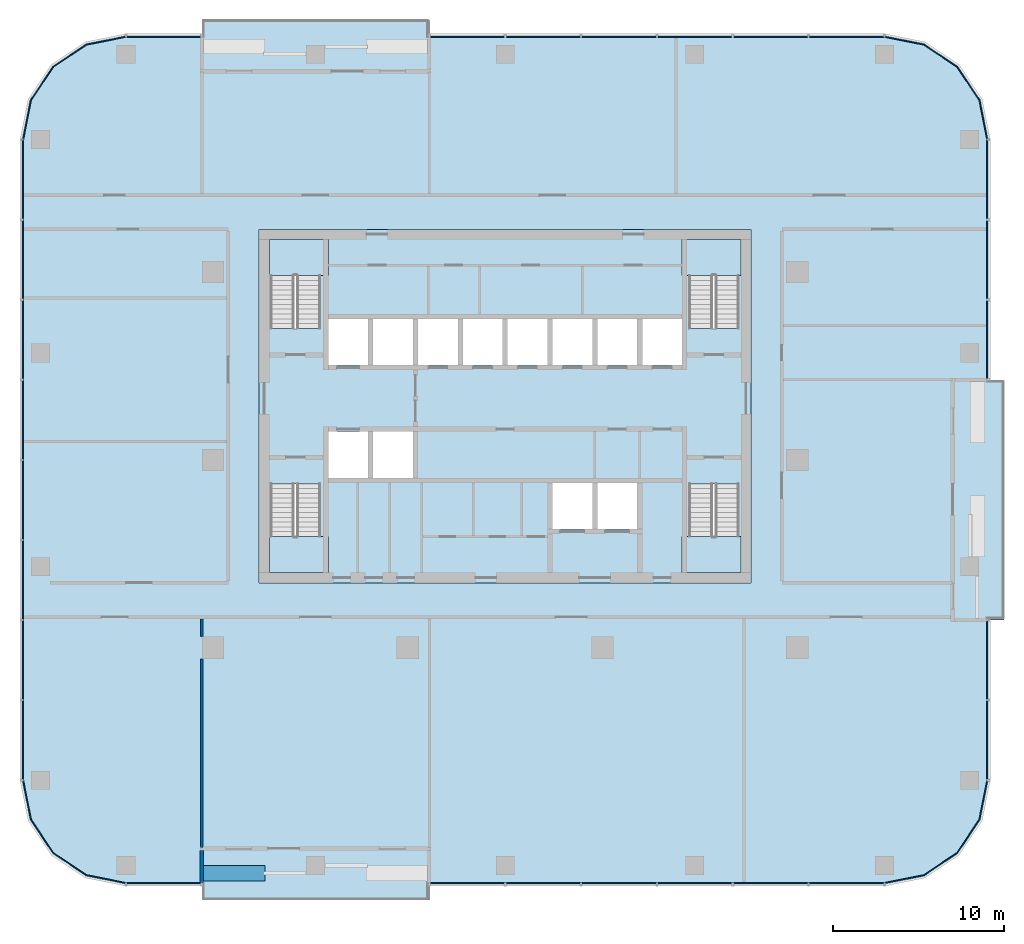
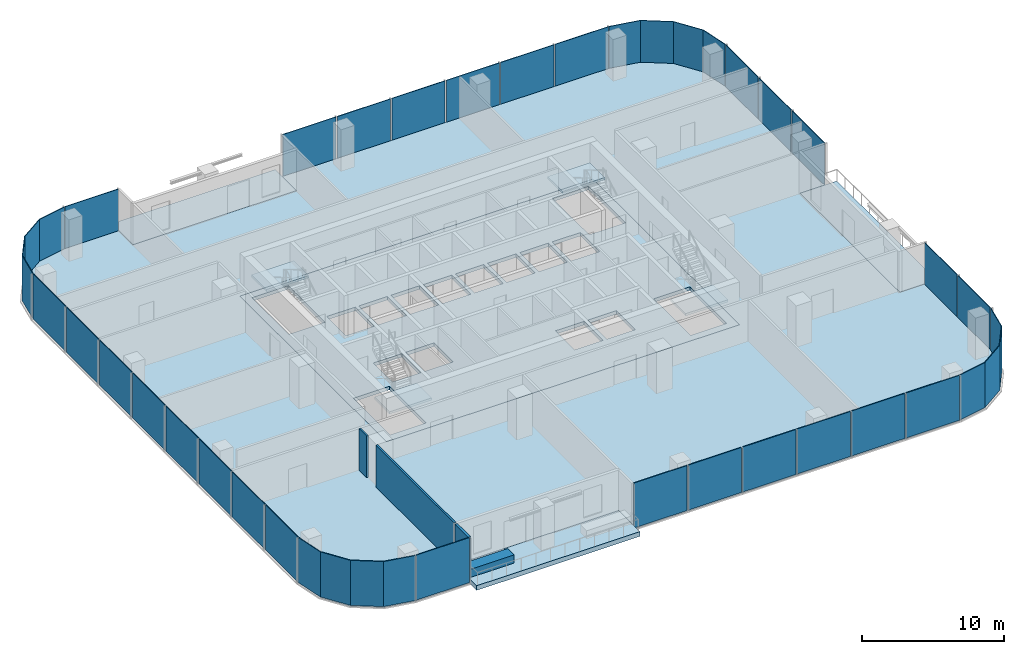
# One storey, part 6 of 14: 31 plates, 9 slabs, 4 walls, 15 elements without a shape of their own.
"""IFC4 building model written with IfcOpenShell, lengths in metres."""

from ifc_helpers import new_model, si_unit, direction, frame, frame_2d, origin, origin_2d, place, context, subcontext, project, spatial, polyline, rectangle, outline, extrude, material, layer, layer_set, type_object, element, aggregate, save


model = new_model("IFC4")

# Units and contexts
model_context = context("Model", 3, precision=1e-05, world=origin(), true_north=direction((0.0, 1.0)))
body_context = subcontext(model_context, "Body", "Model", "MODEL_VIEW")
ifc_project = project(units=[si_unit("LENGTHUNIT", "METRE"), si_unit("AREAUNIT", "SQUARE_METRE"), si_unit("VOLUMEUNIT", "CUBIC_METRE"), si_unit("PLANEANGLEUNIT", "RADIAN"), si_unit("MASSUNIT", "GRAM", prefix="KILO")], contexts=[model_context])

# Site, building, storey
site_placement = place(None, origin())
site = spatial("IfcSite", under=ifc_project, at=site_placement, CompositionType="ELEMENT")
building_placement = place(site_placement, origin())
building = spatial("IfcBuilding", under=site, at=building_placement, Name="Mopane Tessera Tower", CompositionType="ELEMENT")
storey_placement = place(building_placement, frame((0.0, 0.0, 227.0)))
storey = spatial("IfcBuildingStorey", under=building, at=storey_placement, Name="L48", CompositionType="ELEMENT", Elevation=227.0)

# Slab
ifc_material_1 = material(Name="Concrete C40/50", Category="concrete")
ifc_layer_1 = layer(ifc_material_1, 0.300048828125)
ifc_layer_set_1 = layer_set([ifc_layer_1], Name="Concrete C40/50")
slab_type_1 = type_object("IfcSlabType", Name="Core floor slab 300 mm", PredefinedType="FLOOR", material=ifc_layer_set_1)
slab_1_placement = place(storey_placement, frame((0.0, 0.0, -0.300048828125)))
element("IfcSlab", 1, at=slab_1_placement, inside=storey, type_object=slab_type_1, Name="L48 core floor slab", PredefinedType="FLOOR", context=body_context, shape_type="SweptSolid", body=[
    extrude(outline(polyline([(-14.39990234375, -7.199951171875), (14.39990234375, -7.199951171875), (14.39990234375, 13.5), (-14.39990234375, 13.5), (-14.39990234375, -7.199951171875)]), holes=[polyline([(-10.35009765625, -1.050048828125), (-8.02490234375, -1.050048828125), (-8.02490234375, 1.64990234375), (-10.35009765625, 1.64990234375), (-10.35009765625, -1.050048828125)]), polyline([(-7.72509765625, -1.050048828125), (-5.39990234375, -1.050048828125), (-5.39990234375, 1.64990234375), (-7.72509765625, 1.64990234375), (-7.72509765625, -1.050048828125)]), polyline([(-10.35009765625, 5.550048828125), (-8.02490234375, 5.550048828125), (-8.02490234375, 8.25), (-10.35009765625, 8.25), (-10.35009765625, 5.550048828125)]), polyline([(-7.72509765625, 5.550048828125), (-5.39990234375, 5.550048828125), (-5.39990234375, 8.25), (-7.72509765625, 8.25), (-7.72509765625, 5.550048828125)]), polyline([(-5.10009765625, 5.550048828125), (-2.77490234375, 5.550048828125), (-2.77490234375, 8.25), (-5.10009765625, 8.25), (-5.10009765625, 5.550048828125)]), polyline([(-2.47509765625, 5.550048828125), (-0.14990234375, 5.550048828125), (-0.14990234375, 8.25), (-2.47509765625, 8.25), (-2.47509765625, 5.550048828125)]), polyline([(0.14990234375, 5.550048828125), (2.47509765625, 5.550048828125), (2.47509765625, 8.25), (0.14990234375, 8.25), (0.14990234375, 5.550048828125)]), polyline([(2.77490234375, 5.550048828125), (5.10009765625, 5.550048828125), (5.10009765625, 8.25), (2.77490234375, 8.25), (2.77490234375, 5.550048828125)]), polyline([(5.39990234375, 5.550048828125), (7.72509765625, 5.550048828125), (7.72509765625, 8.25), (5.39990234375, 8.25), (5.39990234375, 5.550048828125)]), polyline([(8.02490234375, 5.550048828125), (10.35009765625, 5.550048828125), (10.35009765625, 8.25), (8.02490234375, 8.25), (8.02490234375, 5.550048828125)]), polyline([(2.77490234375, -4.050048828125), (5.10009765625, -4.050048828125), (5.10009765625, -1.35009765625), (2.77490234375, -1.35009765625), (2.77490234375, -4.050048828125)]), polyline([(5.39990234375, -4.050048828125), (7.72509765625, -4.050048828125), (7.72509765625, -1.35009765625), (5.39990234375, -1.35009765625), (5.39990234375, -4.050048828125)]), polyline([(-13.75, -1.405029296875), (-13.75, -6.60009765625), (-10.800048828125, -6.60009765625), (-10.800048828125, -1.405029296875), (-13.75, -1.405029296875)]), polyline([(-10.800048828125, 7.705078125), (-10.800048828125, 12.89990234375), (-13.75, 12.89990234375), (-13.75, 7.705078125), (-10.800048828125, 7.705078125)]), polyline([(10.75, -1.405029296875), (10.75, -6.60009765625), (13.699951171875, -6.60009765625), (13.699951171875, -1.405029296875), (10.75, -1.405029296875)]), polyline([(13.699951171875, 7.705078125), (13.699951171875, 12.89990234375), (10.75, 12.89990234375), (10.75, 7.705078125), (13.699951171875, 7.705078125)])]), origin(), (0.0, 0.0, 1.0), 0.300048828125),
])

# Stair, slab
ifc_material_2 = material(Name="Concrete C50/60", Category="concrete")
stair_type = type_object("IfcStairType", Name="Escape stair 1400 mm, riser 167 mm", PredefinedType="HALF_TURN_STAIR", material=ifc_material_2)
stair_1_placement = place(storey_placement, origin())
stair_1 = element("IfcStair", 2, at=stair_1_placement, inside=storey, type_object=stair_type, Name="L48 Escape stair south-west", PredefinedType="HALF_TURN_STAIR")
ifc_material_3 = material(Name="Concrete C50/60", Category="concrete")
ifc_layer_2 = layer(ifc_material_3, 0.199951171875)
ifc_layer_set_2 = layer_set([ifc_layer_2], Name="Concrete C50/60")
slab_type_2 = type_object("IfcSlabType", Name="Escape stair landing 200 mm", PredefinedType="LANDING", material=ifc_layer_set_2)
slab_2_placement = place(storey_placement, frame((0.0, 0.0, 1.800048828125)))
slab_2 = element("IfcSlab", 3, at=slab_2_placement, type_object=slab_type_2, Name="ST1 landing 1", PredefinedType="LANDING", context=body_context, shape_type="SweptSolid", body=[
    extrude(outline(polyline([(-13.800048828125, -4.47998046875), (-13.800048828125, -6.60009765625), (-10.35009765625, -6.60009765625), (-10.35009765625, -4.47998046875), (-13.800048828125, -4.47998046875)])), origin(), (0.0, 0.0, 1.0), 0.199951171875),
])
aggregate(stair_1, [slab_2])

stair_2_placement = place(storey_placement, origin())
stair_2 = element("IfcStair", 4, at=stair_2_placement, inside=storey, type_object=stair_type, Name="L48 Escape stair north-west", PredefinedType="HALF_TURN_STAIR")
slab_3_placement = place(storey_placement, frame((0.0, 0.0, 1.800048828125)))
slab_3 = element("IfcSlab", 5, at=slab_3_placement, type_object=slab_type_2, Name="ST2 landing 1", PredefinedType="LANDING", context=body_context, shape_type="SweptSolid", body=[
    extrude(outline(polyline([(-10.35009765625, 10.780029296875), (-10.35009765625, 12.89990234375), (-13.800048828125, 12.89990234375), (-13.800048828125, 10.780029296875), (-10.35009765625, 10.780029296875)])), origin(), (0.0, 0.0, 1.0), 0.199951171875),
])
aggregate(stair_2, [slab_3])

stair_3_placement = place(storey_placement, origin())
stair_3 = element("IfcStair", 6, at=stair_3_placement, inside=storey, type_object=stair_type, Name="L48 Escape stair south-east", PredefinedType="HALF_TURN_STAIR")
slab_4_placement = place(storey_placement, frame((0.0, 0.0, 1.800048828125)))
slab_4 = element("IfcSlab", 7, at=slab_4_placement, type_object=slab_type_2, Name="ST3 landing 1", PredefinedType="LANDING", context=body_context, shape_type="SweptSolid", body=[
    extrude(outline(polyline([(10.35009765625, -4.47998046875), (10.35009765625, -6.60009765625), (13.800048828125, -6.60009765625), (13.800048828125, -4.47998046875), (10.35009765625, -4.47998046875)])), origin(), (0.0, 0.0, 1.0), 0.199951171875),
])
aggregate(stair_3, [slab_4])

stair_4_placement = place(storey_placement, origin())
stair_4 = element("IfcStair", 8, at=stair_4_placement, inside=storey, type_object=stair_type, Name="L48 Escape stair north-east", PredefinedType="HALF_TURN_STAIR")
slab_5_placement = place(storey_placement, frame((0.0, 0.0, 1.800048828125)))
slab_5 = element("IfcSlab", 9, at=slab_5_placement, type_object=slab_type_2, Name="ST4 landing 1", PredefinedType="LANDING", context=body_context, shape_type="SweptSolid", body=[
    extrude(outline(polyline([(13.800048828125, 10.780029296875), (13.800048828125, 12.89990234375), (10.35009765625, 12.89990234375), (10.35009765625, 10.780029296875), (13.800048828125, 10.780029296875)])), origin(), (0.0, 0.0, 1.0), 0.199951171875),
])
aggregate(stair_4, [slab_5])

# Slabs
ifc_material_4 = material(Name="Concrete C40/50", Category="concrete")
ifc_layer_3 = layer(ifc_material_4, 0.39990234375)
ifc_layer_set_3 = layer_set([ifc_layer_3], Name="Concrete C40/50")
slab_type_3 = type_object("IfcSlabType", Name="Planted terrace slab 400 mm", PredefinedType="FLOOR", material=ifc_layer_set_3)
slab_6_placement = place(storey_placement, frame((0.0, 0.0, -0.39990234375)))
element("IfcSlab", 10, at=slab_6_placement, inside=storey, type_object=slab_type_3, Name="Terrace slab N1 L48", PredefinedType="FLOOR", context=body_context, shape_type="SweptSolid", body=[
    extrude(outline(polyline([(-4.43994140625, -25.75), (-4.43994140625, -22.75), (-17.760009765625, -22.75), (-17.760009765625, -25.75), (-4.43994140625, -25.75)])), origin(), (0.0, 0.0, 1.0), 0.39990234375),
])
slab_7_placement = place(storey_placement, frame((0.0, 0.0, -0.39990234375)))
element("IfcSlab", 11, at=slab_7_placement, inside=storey, type_object=slab_type_3, Name="Terrace slab N2 L48", PredefinedType="FLOOR", context=body_context, shape_type="SweptSolid", body=[
    extrude(outline(polyline([(29.199951171875, 4.6875), (26.199951171875, 4.6875), (26.199951171875, -9.375), (29.199951171875, -9.375), (29.199951171875, 4.6875)])), origin(), (0.0, 0.0, 1.0), 0.39990234375),
])
slab_8_placement = place(storey_placement, frame((0.0, 0.0, -0.39990234375)))
element("IfcSlab", 12, at=slab_8_placement, inside=storey, type_object=slab_type_3, Name="Terrace slab N3 L48", PredefinedType="FLOOR", context=body_context, shape_type="SweptSolid", body=[
    extrude(outline(polyline([(-17.760009765625, 25.75), (-17.760009765625, 22.75), (-4.43994140625, 22.75), (-4.43994140625, 25.75), (-17.760009765625, 25.75)])), origin(), (0.0, 0.0, 1.0), 0.39990234375),
])
ifc_material_5 = material(Name="Concrete C40/50", Category="concrete")
ifc_layer_4 = layer(ifc_material_5, 0.39990234375)
ifc_layer_set_4 = layer_set([ifc_layer_4], Name="Concrete C40/50")
slab_type_4 = type_object("IfcSlabType", Name="Post-tensioned flat plate 400 mm", PredefinedType="FLOOR", material=ifc_layer_set_4)
slab_9_placement = place(storey_placement, frame((0.0, 0.0, -0.39990234375)))
element("IfcSlab", 13, at=slab_9_placement, inside=storey, type_object=slab_type_4, Name="Floor slab L48", PredefinedType="FLOOR", context=body_context, shape_type="SweptSolid", body=[
    extrude(outline(polyline([(-22.199951171875, -24.75), (-17.760009765625, -24.75), (-17.760009765625, -22.75), (-4.43994140625, -22.75), (-4.43994140625, -24.75), (22.199951171875, -24.75), (24.49609375, -24.293212890625), (26.442626953125, -22.99267578125), (27.7431640625, -21.046142578125), (28.199951171875, -18.75), (28.199951171875, -9.375), (26.199951171875, -9.375), (26.199951171875, 4.6875), (28.199951171875, 4.6875), (28.199951171875, 18.75), (27.7431640625, 21.046142578125), (26.442626953125, 22.99267578125), (24.49609375, 24.293212890625), (22.199951171875, 24.75), (-4.43994140625, 24.75), (-4.43994140625, 22.75), (-17.760009765625, 22.75), (-17.760009765625, 24.75), (-22.199951171875, 24.75), (-24.49609375, 24.293212890625), (-26.442626953125, 22.99267578125), (-27.7431640625, 21.046142578125), (-28.199951171875, 18.75), (-28.199951171875, -18.75), (-27.7431640625, -21.046142578125), (-26.442626953125, -22.99267578125), (-24.49609375, -24.293212890625), (-22.199951171875, -24.75)]), holes=[polyline([(14.39990234375, -7.199951171875), (-14.39990234375, -7.199951171875), (-14.39990234375, 13.5), (14.39990234375, 13.5), (14.39990234375, -7.199951171875)])]), origin(), (0.0, 0.0, 1.0), 0.39990234375),
])

# Curtain wall, plate
ifc_material_6 = material(Name="Aluminium frame", Category="aluminium")
curtain_wall_type = type_object("IfcCurtainWallType", Name="Unitised curtain wall", PredefinedType="NOTDEFINED", material=ifc_material_6)
curtain_wall_1_placement = place(storey_placement, origin())
curtain_wall_1 = element("IfcCurtainWall", 14, at=curtain_wall_1_placement, inside=storey, type_object=curtain_wall_type, Name="e:cw:L48:S:0", PredefinedType="NOTDEFINED")
ifc_material_7 = material(Name="Clear laminated glass", Category="glass")
ifc_layer_5 = layer(ifc_material_7, 0.06005859375)
ifc_layer_set_5 = layer_set([ifc_layer_5], Name="Clear laminated glass")
plate_type = type_object("IfcPlateType", Name="Unitised glazed unit", PredefinedType="CURTAIN_PANEL", material=ifc_layer_set_5)
plate_1_placement = place(storey_placement, frame((-19.97998046875, -24.780029296875, -0.280029296875), z_axis=(0.0, 0.0, 1.0), x_axis=(1.0, 0.0, 0.0)))
plate_1 = element("IfcPlate", 15, at=plate_1_placement, type_object=plate_type, Name="e:cw:L48:S:0:pn0", PredefinedType="CURTAIN_PANEL", context=body_context, shape_type="SweptSolid", body=[
    extrude(rectangle(XDim=4.340087890625, YDim=0.06005859375, at=origin_2d()), origin(), (0.0, 0.0, 1.0), 3.8798828125),
])
aggregate(curtain_wall_1, [plate_1])

# Curtain wall, plates
curtain_wall_2_placement = place(storey_placement, origin())
curtain_wall_2 = element("IfcCurtainWall", 16, at=curtain_wall_2_placement, inside=storey, type_object=curtain_wall_type, Name="e:cw:L48:S:4", PredefinedType="NOTDEFINED")
plate_2_placement = place(storey_placement, frame((-2.219970703125, -24.780029296875, -0.280029296875), z_axis=(0.0, 0.0, 1.0), x_axis=(1.0, 0.0, 0.0)))
plate_2 = element("IfcPlate", 17, at=plate_2_placement, type_object=plate_type, Name="e:cw:L48:S:4:pn4", PredefinedType="CURTAIN_PANEL", context=body_context, shape_type="SweptSolid", body=[
    extrude(rectangle(XDim=4.340087890625, YDim=0.06005859375, at=origin_2d()), origin(), (0.0, 0.0, 1.0), 3.8798828125),
])
plate_3_placement = place(storey_placement, frame((2.219970703125, -24.780029296875, -0.280029296875), z_axis=(0.0, 0.0, 1.0), x_axis=(1.0, 0.0, 0.0)))
plate_3 = element("IfcPlate", 18, at=plate_3_placement, type_object=plate_type, Name="e:cw:L48:S:4:pn5", PredefinedType="CURTAIN_PANEL", context=body_context, shape_type="SweptSolid", body=[
    extrude(rectangle(XDim=4.340087890625, YDim=0.06005859375, at=origin_2d()), origin(), (0.0, 0.0, 1.0), 3.8798828125),
])
plate_4_placement = place(storey_placement, frame((6.659912109375, -24.780029296875, -0.280029296875), z_axis=(0.0, 0.0, 1.0), x_axis=(1.0, 0.0, 0.0)))
plate_4 = element("IfcPlate", 19, at=plate_4_placement, type_object=plate_type, Name="e:cw:L48:S:4:pn6", PredefinedType="CURTAIN_PANEL", context=body_context, shape_type="SweptSolid", body=[
    extrude(rectangle(XDim=4.340087890625, YDim=0.06005859375, at=origin_2d()), origin(), (0.0, 0.0, 1.0), 3.8798828125),
])
plate_5_placement = place(storey_placement, frame((11.10009765625, -24.780029296875, -0.280029296875), z_axis=(0.0, 0.0, 1.0), x_axis=(1.0, 0.0, 0.0)))
plate_5 = element("IfcPlate", 20, at=plate_5_placement, type_object=plate_type, Name="e:cw:L48:S:4:pn7", PredefinedType="CURTAIN_PANEL", context=body_context, shape_type="SweptSolid", body=[
    extrude(rectangle(XDim=4.340087890625, YDim=0.06005859375, at=origin_2d()), origin(), (0.0, 0.0, 1.0), 3.8798828125),
])
plate_6_placement = place(storey_placement, frame((15.5400390625, -24.780029296875, -0.280029296875), z_axis=(0.0, 0.0, 1.0), x_axis=(1.0, 0.0, 0.0)))
plate_6 = element("IfcPlate", 21, at=plate_6_placement, type_object=plate_type, Name="e:cw:L48:S:4:pn8", PredefinedType="CURTAIN_PANEL", context=body_context, shape_type="SweptSolid", body=[
    extrude(rectangle(XDim=4.340087890625, YDim=0.06005859375, at=origin_2d()), origin(), (0.0, 0.0, 1.0), 3.8798828125),
])
plate_7_placement = place(storey_placement, frame((19.97998046875, -24.780029296875, -0.280029296875), z_axis=(0.0, 0.0, 1.0), x_axis=(1.0, 0.0, 0.0)))
plate_7 = element("IfcPlate", 22, at=plate_7_placement, type_object=plate_type, Name="e:cw:L48:S:4:pn9", PredefinedType="CURTAIN_PANEL", context=body_context, shape_type="SweptSolid", body=[
    extrude(rectangle(XDim=4.340087890625, YDim=0.06005859375, at=origin_2d()), origin(), (0.0, 0.0, 1.0), 3.8798828125),
])
aggregate(curtain_wall_2, [plate_2, plate_3, plate_4, plate_5, plate_6, plate_7])

# Curtain wall, plate
curtain_wall_3_placement = place(storey_placement, origin())
curtain_wall_3 = element("IfcCurtainWall", 23, at=curtain_wall_3_placement, inside=storey, type_object=curtain_wall_type, Name="e:cw:L48:CS", PredefinedType="NOTDEFINED")
plate_8_placement = place(storey_placement, frame((0.0, 0.0, -0.280029296875)))
plate_8 = element("IfcPlate", 24, at=plate_8_placement, type_object=plate_type, Name="e:cw:L48:CS:pn", PredefinedType="CURTAIN_PANEL", context=body_context, shape_type="SweptSolid", body=[
    extrude(outline(polyline([(22.199951171875, -24.75), (24.49609375, -24.293212890625), (26.442626953125, -22.99267578125), (27.7431640625, -21.046142578125), (28.199951171875, -18.75), (28.260009765625, -18.75), (27.798828125, -21.069091796875), (26.485107421875, -23.03515625), (24.51904296875, -24.3486328125), (22.199951171875, -24.81005859375), (22.199951171875, -24.75)])), origin(), (0.0, 0.0, 1.0), 3.880126953125),
])
aggregate(curtain_wall_3, [plate_8])

# Curtain wall, plates
curtain_wall_4_placement = place(storey_placement, origin())
curtain_wall_4 = element("IfcCurtainWall", 25, at=curtain_wall_4_placement, inside=storey, type_object=curtain_wall_type, Name="e:cw:L48:E:0", PredefinedType="NOTDEFINED")
plate_9_placement = place(storey_placement, frame((28.22998046875, -16.40625, -0.280029296875), z_axis=(0.0, 0.0, 1.0), x_axis=(0.0, 1.0, 0.0)))
plate_9 = element("IfcPlate", 26, at=plate_9_placement, type_object=plate_type, Name="e:cw:L48:E:0:pn0", PredefinedType="CURTAIN_PANEL", context=body_context, shape_type="SweptSolid", body=[
    extrude(rectangle(XDim=4.58740234375, YDim=0.06005859375, at=origin_2d()), origin(), (0.0, 0.0, 1.0), 3.8798828125),
])
plate_10_placement = place(storey_placement, frame((28.22998046875, -11.71875, -0.280029296875), z_axis=(0.0, 0.0, 1.0), x_axis=(0.0, 1.0, 0.0)))
plate_10 = element("IfcPlate", 27, at=plate_10_placement, type_object=plate_type, Name="e:cw:L48:E:0:pn1", PredefinedType="CURTAIN_PANEL", context=body_context, shape_type="SweptSolid", body=[
    extrude(rectangle(XDim=4.58740234375, YDim=0.06005859375, at=origin_2d()), origin(), (0.0, 0.0, 1.0), 3.8798828125),
])
aggregate(curtain_wall_4, [plate_9, plate_10])

curtain_wall_5_placement = place(storey_placement, origin())
curtain_wall_5 = element("IfcCurtainWall", 28, at=curtain_wall_5_placement, inside=storey, type_object=curtain_wall_type, Name="e:cw:L48:E:5", PredefinedType="NOTDEFINED")
plate_11_placement = place(storey_placement, frame((28.22998046875, 7.03125, -0.280029296875), z_axis=(0.0, 0.0, 1.0), x_axis=(0.0, 1.0, 0.0)))
plate_11 = element("IfcPlate", 29, at=plate_11_placement, type_object=plate_type, Name="e:cw:L48:E:5:pn5", PredefinedType="CURTAIN_PANEL", context=body_context, shape_type="SweptSolid", body=[
    extrude(rectangle(XDim=4.58740234375, YDim=0.06005859375, at=origin_2d()), origin(), (0.0, 0.0, 1.0), 3.8798828125),
])
plate_12_placement = place(storey_placement, frame((28.22998046875, 11.71875, -0.280029296875), z_axis=(0.0, 0.0, 1.0), x_axis=(0.0, 1.0, 0.0)))
plate_12 = element("IfcPlate", 30, at=plate_12_placement, type_object=plate_type, Name="e:cw:L48:E:5:pn6", PredefinedType="CURTAIN_PANEL", context=body_context, shape_type="SweptSolid", body=[
    extrude(rectangle(XDim=4.58740234375, YDim=0.06005859375, at=origin_2d()), origin(), (0.0, 0.0, 1.0), 3.8798828125),
])
plate_13_placement = place(storey_placement, frame((28.22998046875, 16.40625, -0.280029296875), z_axis=(0.0, 0.0, 1.0), x_axis=(0.0, 1.0, 0.0)))
plate_13 = element("IfcPlate", 31, at=plate_13_placement, type_object=plate_type, Name="e:cw:L48:E:5:pn7", PredefinedType="CURTAIN_PANEL", context=body_context, shape_type="SweptSolid", body=[
    extrude(rectangle(XDim=4.58740234375, YDim=0.06005859375, at=origin_2d()), origin(), (0.0, 0.0, 1.0), 3.8798828125),
])
aggregate(curtain_wall_5, [plate_11, plate_12, plate_13])

# Curtain wall, plate
curtain_wall_6_placement = place(storey_placement, origin())
curtain_wall_6 = element("IfcCurtainWall", 32, at=curtain_wall_6_placement, inside=storey, type_object=curtain_wall_type, Name="e:cw:L48:CE", PredefinedType="NOTDEFINED")
plate_14_placement = place(storey_placement, frame((0.0, 0.0, -0.280029296875)))
plate_14 = element("IfcPlate", 33, at=plate_14_placement, type_object=plate_type, Name="e:cw:L48:CE:pn", PredefinedType="CURTAIN_PANEL", context=body_context, shape_type="SweptSolid", body=[
    extrude(outline(polyline([(28.199951171875, 18.75), (27.7431640625, 21.046142578125), (26.442626953125, 22.99267578125), (24.49609375, 24.293212890625), (22.199951171875, 24.75), (22.199951171875, 24.81005859375), (24.51904296875, 24.3486328125), (26.485107421875, 23.03515625), (27.798828125, 21.069091796875), (28.260009765625, 18.75), (28.199951171875, 18.75)])), origin(), (0.0, 0.0, 1.0), 3.880126953125),
])
aggregate(curtain_wall_6, [plate_14])

# Curtain wall, plates
curtain_wall_7_placement = place(storey_placement, origin())
curtain_wall_7 = element("IfcCurtainWall", 34, at=curtain_wall_7_placement, inside=storey, type_object=curtain_wall_type, Name="e:cw:L48:N:0", PredefinedType="NOTDEFINED")
plate_15_placement = place(storey_placement, frame((19.97998046875, 24.780029296875, -0.280029296875), z_axis=(0.0, 0.0, 1.0), x_axis=(-1.0, 0.0, 0.0)))
plate_15 = element("IfcPlate", 35, at=plate_15_placement, type_object=plate_type, Name="e:cw:L48:N:0:pn0", PredefinedType="CURTAIN_PANEL", context=body_context, shape_type="SweptSolid", body=[
    extrude(rectangle(XDim=4.340087890625, YDim=0.06005859375, at=origin_2d()), origin(), (0.0, 0.0, 1.0), 3.8798828125),
])
plate_16_placement = place(storey_placement, frame((15.5400390625, 24.780029296875, -0.280029296875), z_axis=(0.0, 0.0, 1.0), x_axis=(-1.0, 0.0, 0.0)))
plate_16 = element("IfcPlate", 36, at=plate_16_placement, type_object=plate_type, Name="e:cw:L48:N:0:pn1", PredefinedType="CURTAIN_PANEL", context=body_context, shape_type="SweptSolid", body=[
    extrude(rectangle(XDim=4.340087890625, YDim=0.06005859375, at=origin_2d()), origin(), (0.0, 0.0, 1.0), 3.8798828125),
])
plate_17_placement = place(storey_placement, frame((11.10009765625, 24.780029296875, -0.280029296875), z_axis=(0.0, 0.0, 1.0), x_axis=(-1.0, 0.0, 0.0)))
plate_17 = element("IfcPlate", 37, at=plate_17_placement, type_object=plate_type, Name="e:cw:L48:N:0:pn2", PredefinedType="CURTAIN_PANEL", context=body_context, shape_type="SweptSolid", body=[
    extrude(rectangle(XDim=4.340087890625, YDim=0.06005859375, at=origin_2d()), origin(), (0.0, 0.0, 1.0), 3.8798828125),
])
plate_18_placement = place(storey_placement, frame((6.659912109375, 24.780029296875, -0.280029296875), z_axis=(0.0, 0.0, 1.0), x_axis=(-1.0, 0.0, 0.0)))
plate_18 = element("IfcPlate", 38, at=plate_18_placement, type_object=plate_type, Name="e:cw:L48:N:0:pn3", PredefinedType="CURTAIN_PANEL", context=body_context, shape_type="SweptSolid", body=[
    extrude(rectangle(XDim=4.340087890625, YDim=0.06005859375, at=origin_2d()), origin(), (0.0, 0.0, 1.0), 3.8798828125),
])
plate_19_placement = place(storey_placement, frame((2.219970703125, 24.780029296875, -0.280029296875), z_axis=(0.0, 0.0, 1.0), x_axis=(-1.0, 0.0, 0.0)))
plate_19 = element("IfcPlate", 39, at=plate_19_placement, type_object=plate_type, Name="e:cw:L48:N:0:pn4", PredefinedType="CURTAIN_PANEL", context=body_context, shape_type="SweptSolid", body=[
    extrude(rectangle(XDim=4.340087890625, YDim=0.06005859375, at=origin_2d()), origin(), (0.0, 0.0, 1.0), 3.8798828125),
])
plate_20_placement = place(storey_placement, frame((-2.219970703125, 24.780029296875, -0.280029296875), z_axis=(0.0, 0.0, 1.0), x_axis=(-1.0, 0.0, 0.0)))
plate_20 = element("IfcPlate", 40, at=plate_20_placement, type_object=plate_type, Name="e:cw:L48:N:0:pn5", PredefinedType="CURTAIN_PANEL", context=body_context, shape_type="SweptSolid", body=[
    extrude(rectangle(XDim=4.340087890625, YDim=0.06005859375, at=origin_2d()), origin(), (0.0, 0.0, 1.0), 3.8798828125),
])
aggregate(curtain_wall_7, [plate_15, plate_16, plate_17, plate_18, plate_19, plate_20])

# Curtain wall, plate
curtain_wall_8_placement = place(storey_placement, origin())
curtain_wall_8 = element("IfcCurtainWall", 41, at=curtain_wall_8_placement, inside=storey, type_object=curtain_wall_type, Name="e:cw:L48:N:9", PredefinedType="NOTDEFINED")
plate_21_placement = place(storey_placement, frame((-19.97998046875, 24.780029296875, -0.280029296875), z_axis=(0.0, 0.0, 1.0), x_axis=(-1.0, 0.0, 0.0)))
plate_21 = element("IfcPlate", 42, at=plate_21_placement, type_object=plate_type, Name="e:cw:L48:N:9:pn9", PredefinedType="CURTAIN_PANEL", context=body_context, shape_type="SweptSolid", body=[
    extrude(rectangle(XDim=4.340087890625, YDim=0.06005859375, at=origin_2d()), origin(), (0.0, 0.0, 1.0), 3.8798828125),
])
aggregate(curtain_wall_8, [plate_21])

curtain_wall_9_placement = place(storey_placement, origin())
curtain_wall_9 = element("IfcCurtainWall", 43, at=curtain_wall_9_placement, inside=storey, type_object=curtain_wall_type, Name="e:cw:L48:CN", PredefinedType="NOTDEFINED")
plate_22_placement = place(storey_placement, frame((0.0, 0.0, -0.280029296875)))
plate_22 = element("IfcPlate", 44, at=plate_22_placement, type_object=plate_type, Name="e:cw:L48:CN:pn", PredefinedType="CURTAIN_PANEL", context=body_context, shape_type="SweptSolid", body=[
    extrude(outline(polyline([(-22.199951171875, 24.75), (-24.49609375, 24.293212890625), (-26.442626953125, 22.99267578125), (-27.7431640625, 21.046142578125), (-28.199951171875, 18.75), (-28.260009765625, 18.75), (-27.798828125, 21.069091796875), (-26.485107421875, 23.03515625), (-24.51904296875, 24.3486328125), (-22.199951171875, 24.81005859375), (-22.199951171875, 24.75)])), origin(), (0.0, 0.0, 1.0), 3.880126953125),
])
aggregate(curtain_wall_9, [plate_22])

# Curtain wall, plates
curtain_wall_10_placement = place(storey_placement, origin())
curtain_wall_10 = element("IfcCurtainWall", 45, at=curtain_wall_10_placement, inside=storey, type_object=curtain_wall_type, Name="e:cw:L48:W:0", PredefinedType="NOTDEFINED")
plate_23_placement = place(storey_placement, frame((-28.22998046875, 16.40625, -0.280029296875), z_axis=(0.0, 0.0, 1.0), x_axis=(0.0, -1.0, 0.0)))
plate_23 = element("IfcPlate", 46, at=plate_23_placement, type_object=plate_type, Name="e:cw:L48:W:0:pn0", PredefinedType="CURTAIN_PANEL", context=body_context, shape_type="SweptSolid", body=[
    extrude(rectangle(XDim=4.58740234375, YDim=0.06005859375, at=origin_2d()), origin(), (0.0, 0.0, 1.0), 3.8798828125),
])
plate_24_placement = place(storey_placement, frame((-28.22998046875, 11.71875, -0.280029296875), z_axis=(0.0, 0.0, 1.0), x_axis=(0.0, -1.0, 0.0)))
plate_24 = element("IfcPlate", 47, at=plate_24_placement, type_object=plate_type, Name="e:cw:L48:W:0:pn1", PredefinedType="CURTAIN_PANEL", context=body_context, shape_type="SweptSolid", body=[
    extrude(rectangle(XDim=4.58740234375, YDim=0.06005859375, at=origin_2d()), origin(), (0.0, 0.0, 1.0), 3.8798828125),
])
plate_25_placement = place(storey_placement, frame((-28.22998046875, 7.03125, -0.280029296875), z_axis=(0.0, 0.0, 1.0), x_axis=(0.0, -1.0, 0.0)))
plate_25 = element("IfcPlate", 48, at=plate_25_placement, type_object=plate_type, Name="e:cw:L48:W:0:pn2", PredefinedType="CURTAIN_PANEL", context=body_context, shape_type="SweptSolid", body=[
    extrude(rectangle(XDim=4.58740234375, YDim=0.06005859375, at=origin_2d()), origin(), (0.0, 0.0, 1.0), 3.8798828125),
])
plate_26_placement = place(storey_placement, frame((-28.22998046875, 2.34375, -0.280029296875), z_axis=(0.0, 0.0, 1.0), x_axis=(0.0, -1.0, 0.0)))
plate_26 = element("IfcPlate", 49, at=plate_26_placement, type_object=plate_type, Name="e:cw:L48:W:0:pn3", PredefinedType="CURTAIN_PANEL", context=body_context, shape_type="SweptSolid", body=[
    extrude(rectangle(XDim=4.58740234375, YDim=0.06005859375, at=origin_2d()), origin(), (0.0, 0.0, 1.0), 3.8798828125),
])
plate_27_placement = place(storey_placement, frame((-28.22998046875, -2.34375, -0.280029296875), z_axis=(0.0, 0.0, 1.0), x_axis=(0.0, -1.0, 0.0)))
plate_27 = element("IfcPlate", 50, at=plate_27_placement, type_object=plate_type, Name="e:cw:L48:W:0:pn4", PredefinedType="CURTAIN_PANEL", context=body_context, shape_type="SweptSolid", body=[
    extrude(rectangle(XDim=4.58740234375, YDim=0.06005859375, at=origin_2d()), origin(), (0.0, 0.0, 1.0), 3.8798828125),
])
plate_28_placement = place(storey_placement, frame((-28.22998046875, -7.03125, -0.280029296875), z_axis=(0.0, 0.0, 1.0), x_axis=(0.0, -1.0, 0.0)))
plate_28 = element("IfcPlate", 51, at=plate_28_placement, type_object=plate_type, Name="e:cw:L48:W:0:pn5", PredefinedType="CURTAIN_PANEL", context=body_context, shape_type="SweptSolid", body=[
    extrude(rectangle(XDim=4.58740234375, YDim=0.06005859375, at=origin_2d()), origin(), (0.0, 0.0, 1.0), 3.8798828125),
])
plate_29_placement = place(storey_placement, frame((-28.22998046875, -11.71875, -0.280029296875), z_axis=(0.0, 0.0, 1.0), x_axis=(0.0, -1.0, 0.0)))
plate_29 = element("IfcPlate", 52, at=plate_29_placement, type_object=plate_type, Name="e:cw:L48:W:0:pn6", PredefinedType="CURTAIN_PANEL", context=body_context, shape_type="SweptSolid", body=[
    extrude(rectangle(XDim=4.58740234375, YDim=0.06005859375, at=origin_2d()), origin(), (0.0, 0.0, 1.0), 3.8798828125),
])
plate_30_placement = place(storey_placement, frame((-28.22998046875, -16.40625, -0.280029296875), z_axis=(0.0, 0.0, 1.0), x_axis=(0.0, -1.0, 0.0)))
plate_30 = element("IfcPlate", 53, at=plate_30_placement, type_object=plate_type, Name="e:cw:L48:W:0:pn7", PredefinedType="CURTAIN_PANEL", context=body_context, shape_type="SweptSolid", body=[
    extrude(rectangle(XDim=4.58740234375, YDim=0.06005859375, at=origin_2d()), origin(), (0.0, 0.0, 1.0), 3.8798828125),
])
aggregate(curtain_wall_10, [plate_23, plate_24, plate_25, plate_26, plate_27, plate_28, plate_29, plate_30])

# Curtain wall, plate
curtain_wall_11_placement = place(storey_placement, origin())
curtain_wall_11 = element("IfcCurtainWall", 54, at=curtain_wall_11_placement, inside=storey, type_object=curtain_wall_type, Name="e:cw:L48:CW", PredefinedType="NOTDEFINED")
plate_31_placement = place(storey_placement, frame((0.0, 0.0, -0.280029296875)))
plate_31 = element("IfcPlate", 55, at=plate_31_placement, type_object=plate_type, Name="e:cw:L48:CW:pn", PredefinedType="CURTAIN_PANEL", context=body_context, shape_type="SweptSolid", body=[
    extrude(outline(polyline([(-28.199951171875, -18.75), (-27.7431640625, -21.046142578125), (-26.442626953125, -22.99267578125), (-24.49609375, -24.293212890625), (-22.199951171875, -24.75), (-22.199951171875, -24.81005859375), (-24.51904296875, -24.3486328125), (-26.485107421875, -23.03515625), (-27.798828125, -21.069091796875), (-28.260009765625, -18.75), (-28.199951171875, -18.75)])), origin(), (0.0, 0.0, 1.0), 3.880126953125),
])
aggregate(curtain_wall_11, [plate_31])

# Walls
ifc_material_8 = material(Name="Gypsum board on steel studs, mineral wool infill", Category="steel")
ifc_layer_6 = layer(ifc_material_8, 0.14990234375)
ifc_layer_set_6 = layer_set([ifc_layer_6], Name="Gypsum board on steel studs, mineral wool infill")
wall_type_1 = type_object("IfcWallType", Name="Gypsum board partition 150, rated EI 60", PredefinedType="PARTITIONING", material=ifc_layer_set_6)
wall_1_placement = place(storey_placement, frame((-17.760009765625, -22.699951171875, 0.0), z_axis=(0.0, 0.0, 1.0), x_axis=(0.0, 1.0, 0.0)))
element("IfcWall", 56, at=wall_1_placement, inside=storey, type_object=wall_type_1, Name="Partition L48:010", PredefinedType="PARTITIONING", context=body_context, shape_type="SweptSolid", body=[
    extrude(rectangle(XDim=11.050048828125, YDim=0.14990234375, at=frame_2d((5.52490234375, 0.0))), origin(), (0.0, 0.0, 1.0), 3.60009765625),
])
wall_2_placement = place(storey_placement, frame((-17.760009765625, -10.35009765625, 0.0), z_axis=(0.0, 0.0, 1.0), x_axis=(0.0, 1.0, 0.0)))
element("IfcWall", 57, at=wall_2_placement, inside=storey, type_object=wall_type_1, Name="Partition L48:011", PredefinedType="PARTITIONING", context=body_context, shape_type="SweptSolid", body=[
    extrude(rectangle(XDim=1.050048828125, YDim=0.14990234375, at=frame_2d((0.52490234375, 0.0))), origin(), (0.0, 0.0, 1.0), 3.60009765625),
])
ifc_material_9 = material(Name="Reinforced concrete C32/40 with waterproofing", Category="concrete")
ifc_layer_7 = layer(ifc_material_9, 0.89990234375)
ifc_layer_set_7 = layer_set([ifc_layer_7], Name="Reinforced concrete C32/40 with waterproofing")
wall_type_2 = type_object("IfcWallType", Name="Planter trough 3600 x 900", PredefinedType="STANDARD", material=ifc_layer_set_7)
wall_3_placement = place(storey_placement, frame((-17.659912109375, -24.199951171875, 0.0), z_axis=(0.0, 0.0, 1.0), x_axis=(1.0, 0.0, 0.0)))
element("IfcWall", 58, at=wall_3_placement, inside=storey, type_object=wall_type_2, Name="e:nw:L48:N1:pl0", PredefinedType="STANDARD", context=body_context, shape_type="SweptSolid", body=[
    extrude(rectangle(XDim=3.599853515625, YDim=0.89990234375, at=frame_2d((1.7998046875, 0.0))), origin(), (0.0, 0.0, 1.0), 0.699951171875),
])
ifc_material_10 = material(Name="Blockwork with glazed tile facing", Category="masonry")
ifc_layer_8 = layer(ifc_material_10, 0.199951171875)
ifc_layer_set_8 = layer_set([ifc_layer_8], Name="Blockwork with glazed tile facing")
wall_type_3 = type_object("IfcWallType", Name="Terrace cheek wall 200", PredefinedType="STANDARD", material=ifc_layer_set_8)
wall_4_placement = place(storey_placement, frame((-17.760009765625, -24.75, 0.0), z_axis=(0.0, 0.0, 1.0), x_axis=(0.0, 1.0, 0.0)))
element("IfcWall", 59, at=wall_4_placement, inside=storey, type_object=wall_type_3, Name="e:nw:L48:N1:cheeka", PredefinedType="STANDARD", context=body_context, shape_type="SweptSolid", body=[
    extrude(rectangle(XDim=1.875, YDim=0.199951171875, at=frame_2d((0.9375, 0.0))), origin(), (0.0, 0.0, 1.0), 3.60009765625),
])

save(model, "model.ifc")
